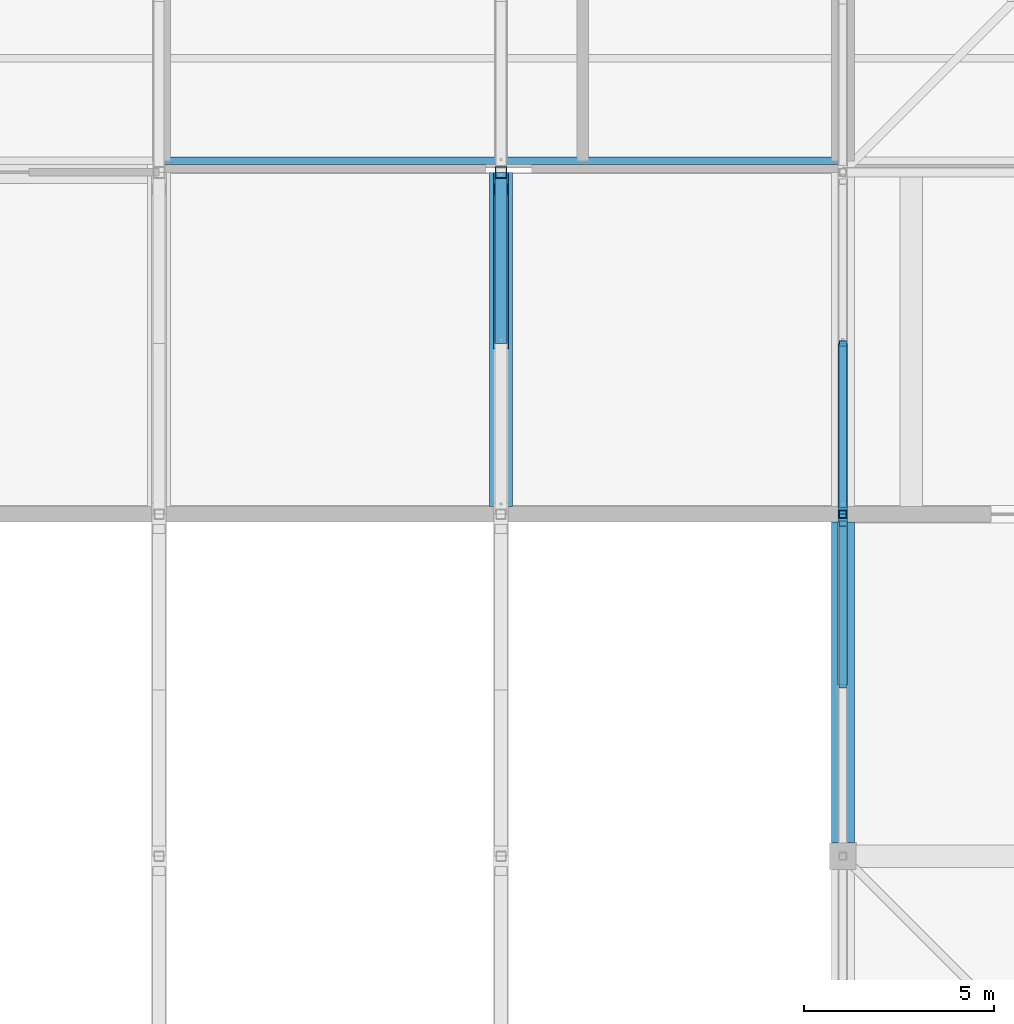
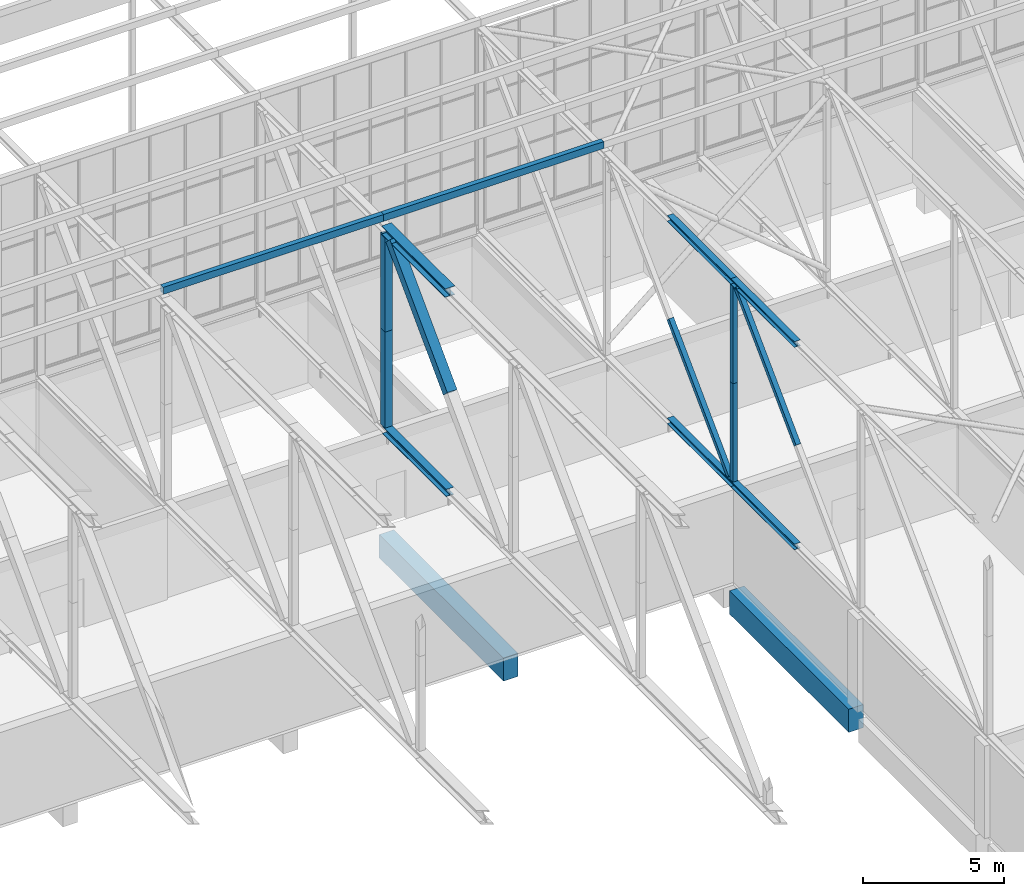
# One storey, part 80 of 646: 15 members, 2 beams.
"""IFC4 building model written with IfcOpenShell, lengths in metres."""

from ifc_helpers import new_model, si_unit, direction, frame, origin, origin_2d, place, context, subcontext, project, spatial, rectangle, hollow_rectangle, i_section, extrude, material, material_profile, profile_set, type_object, element, save


model = new_model("IFC4")

# Units and contexts
model_context = context("Model", 3, precision=1e-05, world=origin(), true_north=direction((0.0, 1.0)))
body_context = subcontext(model_context, "Body", "Model", "MODEL_VIEW")
ifc_project = project(units=[si_unit("LENGTHUNIT", "METRE"), si_unit("AREAUNIT", "SQUARE_METRE"), si_unit("VOLUMEUNIT", "CUBIC_METRE"), si_unit("PLANEANGLEUNIT", "RADIAN"), si_unit("MASSUNIT", "GRAM", prefix="KILO")], contexts=[model_context])

# Site, building, storey
site_placement = place(None, origin())
site = spatial("IfcSite", under=ifc_project, at=site_placement, CompositionType="ELEMENT")
building_placement = place(site_placement, origin())
building = spatial("IfcBuilding", under=site, at=building_placement, Name="Silverbay Arena", CompositionType="ELEMENT")
storey_placement = place(building_placement, frame((0.0, 0.0, 33.5)))
storey = spatial("IfcBuildingStorey", under=building, at=storey_placement, Name="L05", CompositionType="ELEMENT", Elevation=33.5)

# Members
ifc_material_1 = material(Name="Steel S355", Category="steel")
ifc_material_profile_1 = material_profile(ifc_material_1, i_section(OverallWidth=0.311279296875, OverallDepth=0.3271484375, WebThickness=0.015869140625, FlangeThickness=0.02490234375, at=origin_2d()), Name="UC 305x305x158")
ifc_profile_set_1 = profile_set([ifc_material_profile_1], Name="Steel S355")
member_type_1 = type_object("IfcMemberType", Name="Main-span bottom chord UC 305x305x158", PredefinedType="CHORD", material=ifc_profile_set_1)
member_1_placement = place(storey_placement, frame((153.0, 130.5, 4.16357421875), z_axis=(0.0, 1.0, 0.0), x_axis=(-1.0, 0.0, 0.0)))
element("IfcMember", 1, at=member_1_placement, inside=storey, type_object=member_type_1, Name="ROOF TRUSS 18 bottom chord 14b", PredefinedType="CHORD", context=body_context, shape_type="SweptSolid", body=[
    extrude(i_section(OverallWidth=0.311279296875, OverallDepth=0.3271484375, WebThickness=0.015869140625, FlangeThickness=0.02490234375, at=origin_2d()), origin(), (0.0, 0.0, 1.0), 4.5),
])
ifc_material_2 = material(Name="Steel S355", Category="steel")
ifc_material_profile_2 = material_profile(ifc_material_2, i_section(OverallWidth=0.394775390625, OverallDepth=0.381103515625, WebThickness=0.018310546875, FlangeThickness=0.0302734375, at=origin_2d()), Name="UC 356x406x235")
ifc_profile_set_2 = profile_set([ifc_material_profile_2], Name="Steel S355")
member_type_2 = type_object("IfcMemberType", Name="Main-span top chord UC 356x406x235", PredefinedType="CHORD", material=ifc_profile_set_2)
member_2_placement = place(storey_placement, frame((153.0, 130.5, 12.8095703125), z_axis=(0.0, 1.0, 0.0), x_axis=(-1.0, 0.0, 0.0)))
element("IfcMember", 2, at=member_2_placement, inside=storey, type_object=member_type_2, Name="ROOF TRUSS 18 top chord 14b", PredefinedType="CHORD", context=body_context, shape_type="SweptSolid", body=[
    extrude(i_section(OverallWidth=0.394775390625, OverallDepth=0.381103515625, WebThickness=0.018310546875, FlangeThickness=0.0302734375, at=origin_2d()), origin(), (0.0, 0.0, 1.0), 4.5),
])
ifc_material_3 = material(Name="Steel S355", Category="steel")
ifc_material_profile_3 = material_profile(ifc_material_3, hollow_rectangle(XDim=0.39990234375, YDim=0.39990234375, WallThickness=0.01416015625, at=origin_2d()), Name="SHS 400x400x14.2")
ifc_profile_set_3 = profile_set([ifc_material_profile_3], Name="Steel S355")
member_type_3 = type_object("IfcMemberType", Name="Main-span truss diagonal SHS 400x400x14.2", PredefinedType="BRACE", material=ifc_profile_set_3)
member_3_placement = place(storey_placement, frame((153.0, 134.554931640625, 12.618896484375), z_axis=(0.0, -0.700113450325, -0.71403162162), x_axis=(1.0, 0.0, 0.0)))
element("IfcMember", 3, at=member_3_placement, inside=storey, type_object=member_type_3, Name="ROOF TRUSS 18 diagonal 14a", PredefinedType="BRACE", context=body_context, shape_type="SweptSolid", body=[
    extrude(hollow_rectangle(XDim=0.39990234375, YDim=0.39990234375, WallThickness=0.01416015625, at=origin_2d()), origin(), (0.0, 0.0, 1.0), 5.80615234375),
])
ifc_material_4 = material(Name="Steel S355", Category="steel")
ifc_material_profile_4 = material_profile(ifc_material_4, hollow_rectangle(XDim=0.300048828125, YDim=0.300048828125, WallThickness=0.012451171875, at=origin_2d()), Name="SHS 300x300x12.5")
ifc_profile_set_4 = profile_set([ifc_material_profile_4], Name="Steel S355")
member_type_4 = type_object("IfcMemberType", Name="Main-span truss vertical SHS 300x300x12.5", PredefinedType="STRUT", material=ifc_profile_set_4)
member_4_placement = place(storey_placement, frame((153.0, 135.0, 4.3271484375), z_axis=(0.0, 0.0, 1.0), x_axis=(1.0, 0.0, 0.0)))
element("IfcMember", 4, at=member_4_placement, inside=storey, type_object=member_type_4, Name="ROOF TRUSS 18 vertical 15a", PredefinedType="STRUT", context=body_context, shape_type="SweptSolid", body=[
    extrude(hollow_rectangle(XDim=0.300048828125, YDim=0.300048828125, WallThickness=0.012451171875, at=origin_2d()), origin(), (0.0, 0.0, 1.0), 4.14599609375),
])
member_5_placement = place(storey_placement, frame((153.0, 135.0, 8.47314453125), z_axis=(0.0, 0.0, 1.0), x_axis=(1.0, 0.0, 0.0)))
element("IfcMember", 5, at=member_5_placement, inside=storey, type_object=member_type_4, Name="ROOF TRUSS 18 vertical 15b", PredefinedType="STRUT", context=body_context, shape_type="SweptSolid", body=[
    extrude(hollow_rectangle(XDim=0.300048828125, YDim=0.300048828125, WallThickness=0.012451171875, at=origin_2d()), origin(), (0.0, 0.0, 1.0), 4.145751953125),
])
ifc_material_5 = material(Name="Steel S355", Category="steel")
ifc_material_profile_5 = material_profile(ifc_material_5, i_section(OverallWidth=0.254638671875, OverallDepth=0.254150390625, WebThickness=0.008544921875, FlangeThickness=0.01416015625, at=origin_2d()), Name="UC 254x254x73")
ifc_profile_set_5 = profile_set([ifc_material_profile_5], Name="Steel S355")
member_type_5 = type_object("IfcMemberType", Name="Medium-span bottom chord UC 254x254x73", PredefinedType="CHORD", material=ifc_profile_set_5)
for number, where, z_axis, x_axis, name in (
    (6, (162.0, 121.5, 4.126953125), (0.0, 1.0, 0.0), (-1.0, 0.0, 0.0), "ROOF TRUSS 19 bottom chord 13b"),
    (7, (162.0, 126.0, 4.126953125), (0.0, 1.0, 0.0), (-1.0, 0.0, 0.0), "ROOF TRUSS 19 bottom chord 14a"),
):
    element("IfcMember", number, at=place(storey_placement, frame(where, z_axis=z_axis, x_axis=x_axis)), inside=storey, type_object=member_type_5, Name=name, PredefinedType="CHORD", context=body_context, shape_type="SweptSolid", body=[
        extrude(i_section(OverallWidth=0.254638671875, OverallDepth=0.254150390625, WebThickness=0.008544921875, FlangeThickness=0.01416015625, at=origin_2d()), origin(), (0.0, 0.0, 1.0), 4.5),
    ])
ifc_material_6 = material(Name="Steel S355", Category="steel")
ifc_material_profile_6 = material_profile(ifc_material_6, i_section(OverallWidth=0.254638671875, OverallDepth=0.254150390625, WebThickness=0.008544921875, FlangeThickness=0.01416015625, at=origin_2d()), Name="UC 254x254x73")
ifc_profile_set_6 = profile_set([ifc_material_profile_6], Name="Steel S355")
member_type_6 = type_object("IfcMemberType", Name="Medium-span top chord UC 254x254x73", PredefinedType="CHORD", material=ifc_profile_set_6)
for number, where, z_axis, x_axis, name in (
    (8, (162.0, 121.5, 12.873046875), (0.0, 1.0, 0.0), (-1.0, 0.0, 0.0), "ROOF TRUSS 19 top chord 13b"),
    (9, (162.0, 126.0, 12.873046875), (0.0, 1.0, 0.0), (-1.0, 0.0, 0.0), "ROOF TRUSS 19 top chord 14a"),
):
    element("IfcMember", number, at=place(storey_placement, frame(where, z_axis=z_axis, x_axis=x_axis)), inside=storey, type_object=member_type_6, Name=name, PredefinedType="CHORD", context=body_context, shape_type="SweptSolid", body=[
        extrude(i_section(OverallWidth=0.254638671875, OverallDepth=0.254150390625, WebThickness=0.008544921875, FlangeThickness=0.01416015625, at=origin_2d()), origin(), (0.0, 0.0, 1.0), 4.5),
    ])
ifc_material_7 = material(Name="Steel S355", Category="steel")
ifc_material_profile_7 = material_profile(ifc_material_7, hollow_rectangle(XDim=0.199951171875, YDim=0.199951171875, WallThickness=0.008056640625, at=origin_2d()), Name="SHS 200x200x8")
ifc_profile_set_7 = profile_set([ifc_material_profile_7], Name="Steel S355")
member_type_7 = type_object("IfcMemberType", Name="Medium-span truss diagonal SHS 200x200x8", PredefinedType="BRACE", material=ifc_profile_set_7)
for number, where, z_axis, x_axis, name in (
    (10, (162.0, 125.75439453125, 12.745849609375), (0.0, -0.70781724692, -0.706395600894), (1.0, 0.0, 0.0), "ROOF TRUSS 19 diagonal 13a"),
    (11, (162.0, 130.5, 8.5), (0.0, -0.70781724692, -0.706395600894), (1.0, 0.0, 0.0), "ROOF TRUSS 19 diagonal 14b"),
):
    element("IfcMember", number, at=place(storey_placement, frame(where, z_axis=z_axis, x_axis=x_axis)), inside=storey, type_object=member_type_7, Name=name, PredefinedType="BRACE", context=body_context, shape_type="SweptSolid", body=[
        extrude(hollow_rectangle(XDim=0.199951171875, YDim=0.199951171875, WallThickness=0.008056640625, at=origin_2d()), origin(), (0.0, 0.0, 1.0), 6.010498046875),
    ])
ifc_material_8 = material(Name="Steel S355", Category="steel")
ifc_material_profile_8 = material_profile(ifc_material_8, hollow_rectangle(XDim=0.199951171875, YDim=0.199951171875, WallThickness=0.008056640625, at=origin_2d()), Name="SHS 200x200x8")
ifc_profile_set_8 = profile_set([ifc_material_profile_8], Name="Steel S355")
member_type_8 = type_object("IfcMemberType", Name="Medium-span truss vertical SHS 200x200x8", PredefinedType="STRUT", material=ifc_profile_set_8)
for number, where, z_axis, x_axis, name in (
    (12, (162.0, 126.0, 4.254150390625), (0.0, 0.0, 1.0), (1.0, 0.0, 0.0), "ROOF TRUSS 19 vertical 14a"),
    (13, (162.0, 126.0, 8.5), (0.0, 0.0, 1.0), (1.0, 0.0, 0.0), "ROOF TRUSS 19 vertical 14b"),
):
    element("IfcMember", number, at=place(storey_placement, frame(where, z_axis=z_axis, x_axis=x_axis)), inside=storey, type_object=member_type_8, Name=name, PredefinedType="STRUT", context=body_context, shape_type="SweptSolid", body=[
        extrude(hollow_rectangle(XDim=0.199951171875, YDim=0.199951171875, WallThickness=0.008056640625, at=origin_2d()), origin(), (0.0, 0.0, 1.0), 4.245849609375),
    ])
ifc_material_9 = material(Name="Steel S355", Category="steel")
ifc_material_profile_9 = material_profile(ifc_material_9, hollow_rectangle(XDim=0.199951171875, YDim=0.300048828125, WallThickness=0.00634765625, at=origin_2d()), Name="RHS 300x200x6.3")
ifc_profile_set_9 = profile_set([ifc_material_profile_9], Name="Steel S355")
member_type_9 = type_object("IfcMemberType", Name="Purlin RHS 300x200x6.3", PredefinedType="PURLIN", material=ifc_profile_set_9)
for number, where, z_axis, x_axis, name in (
    (14, (144.0, 135.300048828125, 13.14990234375), (1.0, 0.0, 0.0), (0.0, 1.0, 0.0), "ROOF PURLIN crown rim north 17-18"),
    (15, (153.0, 135.300048828125, 13.14990234375), (1.0, 0.0, 0.0), (0.0, 1.0, 0.0), "ROOF PURLIN crown rim north 18-19"),
):
    element("IfcMember", number, at=place(storey_placement, frame(where, z_axis=z_axis, x_axis=x_axis)), inside=storey, type_object=member_type_9, Name=name, PredefinedType="PURLIN", context=body_context, shape_type="SweptSolid", body=[
        extrude(hollow_rectangle(XDim=0.199951171875, YDim=0.300048828125, WallThickness=0.00634765625, at=origin_2d()), origin(), (0.0, 0.0, 1.0), 9.0),
    ])

# Beams
ifc_material_10 = material(Name="Concrete Grade C45", Category="concrete")
ifc_material_profile_10 = material_profile(ifc_material_10, rectangle(XDim=0.60009765625, YDim=1.0, at=origin_2d()), Name="RC 600x1000")
ifc_profile_set_10 = profile_set([ifc_material_profile_10], Name="Concrete Grade C45")
beam_type = type_object("IfcBeamType", Name="RC beam 600x1000", PredefinedType="BEAM", material=ifc_profile_set_10)
beam_1_placement = place(storey_placement, frame((153.0, 126.199951171875, -0.800048828125), z_axis=(0.0, 1.0, 0.0), x_axis=(-1.0, 0.0, 0.0)))
element("IfcBeam", 16, at=beam_1_placement, inside=storey, type_object=beam_type, Name="Floor beam L05 120", PredefinedType="BEAM", context=body_context, shape_type="SweptSolid", body=[
    extrude(rectangle(XDim=0.60009765625, YDim=1.0, at=origin_2d()), origin(), (0.0, 0.0, 1.0), 8.800048828125),
])
beam_2_placement = place(storey_placement, frame((162.0, 117.35009765625, -0.800048828125), z_axis=(0.0, 1.0, 0.0), x_axis=(-1.0, 0.0, 0.0)))
element("IfcBeam", 17, at=beam_2_placement, inside=storey, type_object=beam_type, Name="Floor beam L05 127", PredefinedType="BEAM", context=body_context, shape_type="SweptSolid", body=[
    extrude(rectangle(XDim=0.60009765625, YDim=1.0, at=origin_2d()), origin(), (0.0, 0.0, 1.0), 8.449951171875),
])

save(model, "model.ifc")
